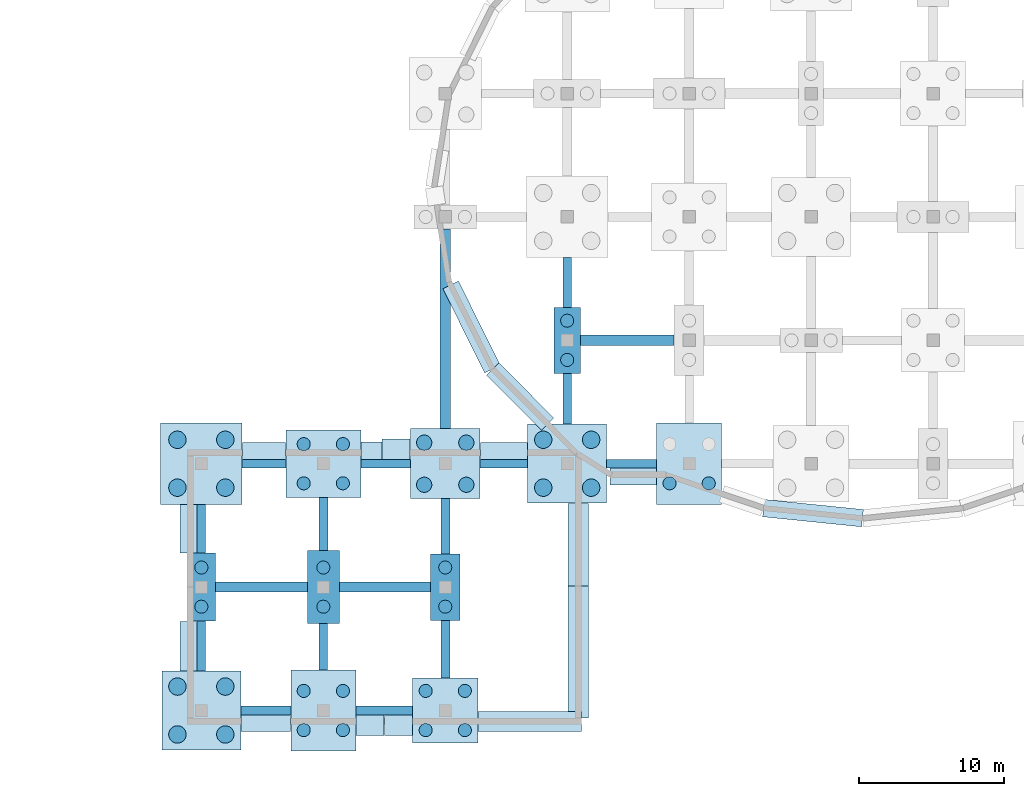
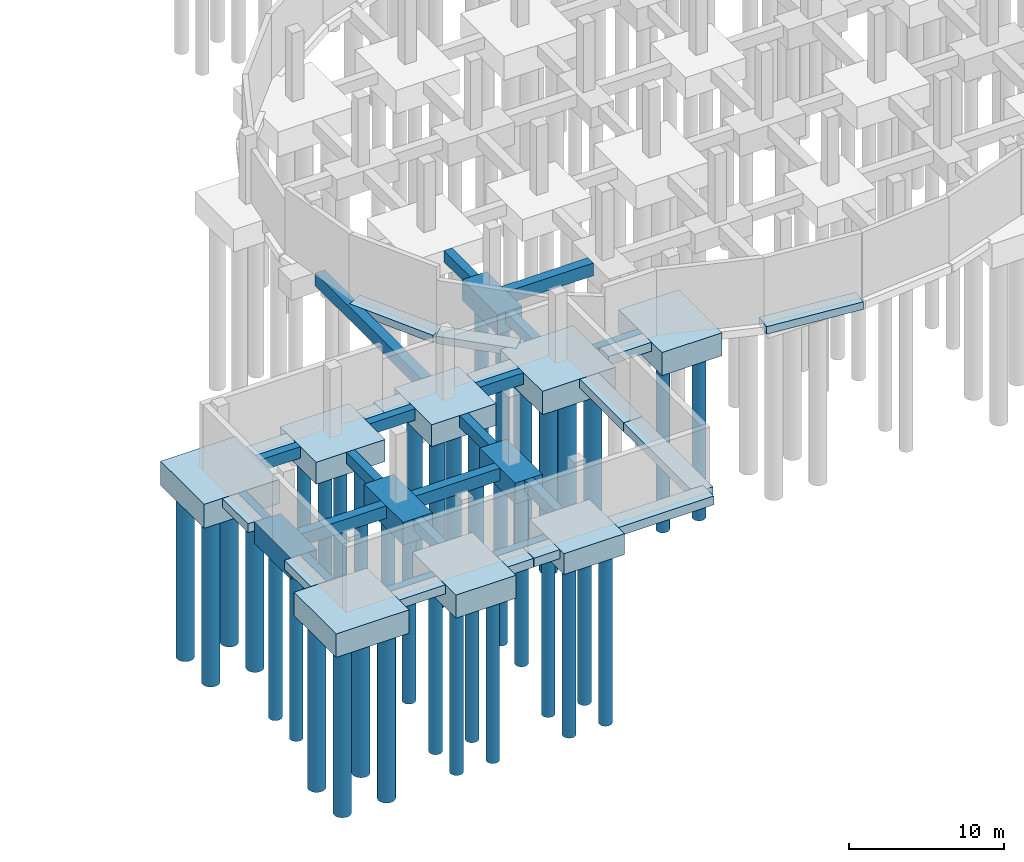
# One storey, part 1 of 34: 46 footings, 38 piles.
"""IFC4 building model written with IfcOpenShell, lengths in metres."""

from ifc_helpers import new_model, si_unit, direction, frame, origin, origin_2d, place, context, subcontext, project, spatial, rectangle, circle, extrude, material, material_profile, profile_set, type_object, element, save


model = new_model("IFC4")

# Units and contexts
model_context = context("Model", 3, precision=1e-05, world=origin(), true_north=direction((0.0, 1.0)))
body_context = subcontext(model_context, "Body", "Model", "MODEL_VIEW")
ifc_project = project(units=[si_unit("LENGTHUNIT", "METRE"), si_unit("AREAUNIT", "SQUARE_METRE"), si_unit("VOLUMEUNIT", "CUBIC_METRE"), si_unit("PLANEANGLEUNIT", "RADIAN"), si_unit("MASSUNIT", "GRAM", prefix="KILO")], contexts=[model_context])

# Site, building, storey
site_placement = place(None, origin())
site = spatial("IfcSite", under=ifc_project, at=site_placement, CompositionType="ELEMENT")
building_placement = place(site_placement, origin())
building = spatial("IfcBuilding", under=site, at=building_placement, Name="Solvento Point Concert Hall", CompositionType="ELEMENT")
storey_placement = place(building_placement, frame((0.0, 0.0, -5.39990234375)))
storey = spatial("IfcBuildingStorey", under=building, at=storey_placement, Name="B01", CompositionType="ELEMENT", Elevation=-5.39990234375)

# Piles
ifc_material_1 = material(Name="Concrete C40/50", Category="concrete")
ifc_material_profile_1 = material_profile(ifc_material_1, circle(Radius=0.52490234375, at=origin_2d()), Name="BP-1050")
ifc_profile_set_1 = profile_set([ifc_material_profile_1], Name="Concrete C40/50")
pile_type_1 = type_object("IfcPileType", Name="BoredPile_1050", PredefinedType="BORED", material=ifc_profile_set_1)
for number, where, z_axis, x_axis, name in (
    (1, (30.949951171875, 15.550048828125, -1.6201171875), (0.0, 0.0, -1.0), (1.0, 0.0, 0.0), "Bored pile BoredPile_1050 #85"),
    (2, (33.85009765625, 15.550048828125, -1.6201171875), (0.0, 0.0, -1.0), (1.0, 0.0, 0.0), "Bored pile BoredPile_1050 #86"),
    (3, (30.949951171875, 18.449951171875, -1.6201171875), (0.0, 0.0, -1.0), (1.0, 0.0, 0.0), "Bored pile BoredPile_1050 #87"),
    (4, (33.85009765625, 18.449951171875, -1.6201171875), (0.0, 0.0, -1.0), (1.0, 0.0, 0.0), "Bored pile BoredPile_1050 #88"),
):
    element("IfcPile", number, at=place(storey_placement, frame(where, z_axis=z_axis, x_axis=x_axis)), inside=storey, type_object=pile_type_1, Name=name, PredefinedType="BORED", context=body_context, shape_type="SweptSolid", body=[
        extrude(circle(Radius=0.52490234375, at=origin_2d()), origin(), (0.0, 0.0, 1.0), 13.47998046875),
    ])
ifc_material_2 = material(Name="Concrete C40/50", Category="concrete")
ifc_material_profile_2 = material_profile(ifc_material_2, circle(Radius=0.60009765625, at=origin_2d()), Name="BP-1200")
ifc_profile_set_2 = profile_set([ifc_material_profile_2], Name="Concrete C40/50")
pile_type_2 = type_object("IfcPileType", Name="BoredPile_1200", PredefinedType="BORED", material=ifc_profile_set_2)
for number, where, z_axis, x_axis, name in (
    (5, (13.949951171875, -1.64990234375, -1.75), (0.0, 0.0, -1.0), (1.0, 0.0, 0.0), "Bored pile BoredPile_1200 #31"),
    (6, (17.25, -1.64990234375, -1.75), (0.0, 0.0, -1.0), (1.0, 0.0, 0.0), "Bored pile BoredPile_1200 #32"),
    (7, (13.949951171875, 1.64990234375, -1.75), (0.0, 0.0, -1.0), (1.0, 0.0, 0.0), "Bored pile BoredPile_1200 #33"),
    (8, (17.25, 1.64990234375, -1.75), (0.0, 0.0, -1.0), (1.0, 0.0, 0.0), "Bored pile BoredPile_1200 #34"),
):
    element("IfcPile", number, at=place(storey_placement, frame(where, z_axis=z_axis, x_axis=x_axis)), inside=storey, type_object=pile_type_2, Name=name, PredefinedType="BORED", context=body_context, shape_type="SweptSolid", body=[
        extrude(circle(Radius=0.60009765625, at=origin_2d()), origin(), (0.0, 0.0, 1.0), 13.35009765625),
    ])
for number, where, z_axis, x_axis, name in (
    (9, (13.949951171875, 15.35009765625, -1.800048828125), (0.0, 0.0, -1.0), (1.0, 0.0, 0.0), "Bored pile BoredPile_1200 #37"),
    (10, (17.25, 15.35009765625, -1.800048828125), (0.0, 0.0, -1.0), (1.0, 0.0, 0.0), "Bored pile BoredPile_1200 #38"),
    (11, (13.949951171875, 18.64990234375, -1.800048828125), (0.0, 0.0, -1.0), (1.0, 0.0, 0.0), "Bored pile BoredPile_1200 #39"),
    (12, (17.25, 18.64990234375, -1.800048828125), (0.0, 0.0, -1.0), (1.0, 0.0, 0.0), "Bored pile BoredPile_1200 #40"),
):
    element("IfcPile", number, at=place(storey_placement, frame(where, z_axis=z_axis, x_axis=x_axis)), inside=storey, type_object=pile_type_2, Name=name, PredefinedType="BORED", context=body_context, shape_type="SweptSolid", body=[
        extrude(circle(Radius=0.60009765625, at=origin_2d()), origin(), (0.0, 0.0, 1.0), 13.300048828125),
    ])
for number, where, z_axis, x_axis, name in (
    (13, (39.14990234375, 15.35009765625, -1.75), (0.0, 0.0, -1.0), (1.0, 0.0, 0.0), "Bored pile BoredPile_1200 #103"),
    (14, (42.449951171875, 15.35009765625, -1.75), (0.0, 0.0, -1.0), (1.0, 0.0, 0.0), "Bored pile BoredPile_1200 #104"),
    (15, (39.14990234375, 18.64990234375, -1.75), (0.0, 0.0, -1.0), (1.0, 0.0, 0.0), "Bored pile BoredPile_1200 #105"),
    (16, (42.449951171875, 18.64990234375, -1.75), (0.0, 0.0, -1.0), (1.0, 0.0, 0.0), "Bored pile BoredPile_1200 #106"),
):
    element("IfcPile", number, at=place(storey_placement, frame(where, z_axis=z_axis, x_axis=x_axis)), inside=storey, type_object=pile_type_2, Name=name, PredefinedType="BORED", context=body_context, shape_type="SweptSolid", body=[
        extrude(circle(Radius=0.60009765625, at=origin_2d()), origin(), (0.0, 0.0, 1.0), 13.35009765625),
    ])
ifc_material_3 = material(Name="Concrete C40/50", Category="concrete")
ifc_material_profile_3 = material_profile(ifc_material_3, circle(Radius=0.449951171875, at=origin_2d()), Name="BP-900")
ifc_profile_set_3 = profile_set([ifc_material_profile_3], Name="Concrete C40/50")
pile_type_3 = type_object("IfcPileType", Name="BoredPile_900", PredefinedType="BORED", material=ifc_profile_set_3)
for number, where, z_axis, x_axis, name in (
    (17, (15.60009765625, 7.14990234375, -1.580078125), (0.0, 0.0, -1.0), (1.0, 0.0, 0.0), "Bored pile BoredPile_900 #35"),
    (18, (15.60009765625, 9.85009765625, -1.580078125), (0.0, 0.0, -1.0), (1.0, 0.0, 0.0), "Bored pile BoredPile_900 #36"),
):
    element("IfcPile", number, at=place(storey_placement, frame(where, z_axis=z_axis, x_axis=x_axis)), inside=storey, type_object=pile_type_3, Name=name, PredefinedType="BORED", context=body_context, shape_type="SweptSolid", body=[
        extrude(circle(Radius=0.449951171875, at=origin_2d()), origin(), (0.0, 0.0, 1.0), 13.52001953125),
    ])
for number, where, z_axis, x_axis, name in (
    (19, (22.64990234375, -1.35009765625, -1.72021484375), (0.0, 0.0, -1.0), (1.0, 0.0, 0.0), "Bored pile BoredPile_900 #55"),
    (20, (25.35009765625, -1.35009765625, -1.72021484375), (0.0, 0.0, -1.0), (1.0, 0.0, 0.0), "Bored pile BoredPile_900 #56"),
    (21, (22.64990234375, 1.35009765625, -1.72021484375), (0.0, 0.0, -1.0), (1.0, 0.0, 0.0), "Bored pile BoredPile_900 #57"),
    (22, (25.35009765625, 1.35009765625, -1.72021484375), (0.0, 0.0, -1.0), (1.0, 0.0, 0.0), "Bored pile BoredPile_900 #58"),
):
    element("IfcPile", number, at=place(storey_placement, frame(where, z_axis=z_axis, x_axis=x_axis)), inside=storey, type_object=pile_type_3, Name=name, PredefinedType="BORED", context=body_context, shape_type="SweptSolid", body=[
        extrude(circle(Radius=0.449951171875, at=origin_2d()), origin(), (0.0, 0.0, 1.0), 13.3798828125),
    ])
for number, where, z_axis, x_axis, name in (
    (23, (24.0, 7.14990234375, -1.68017578125), (0.0, 0.0, -1.0), (1.0, 0.0, 0.0), "Bored pile BoredPile_900 #59"),
    (24, (24.0, 9.85009765625, -1.68017578125), (0.0, 0.0, -1.0), (1.0, 0.0, 0.0), "Bored pile BoredPile_900 #60"),
):
    element("IfcPile", number, at=place(storey_placement, frame(where, z_axis=z_axis, x_axis=x_axis)), inside=storey, type_object=pile_type_3, Name=name, PredefinedType="BORED", context=body_context, shape_type="SweptSolid", body=[
        extrude(circle(Radius=0.449951171875, at=origin_2d()), origin(), (0.0, 0.0, 1.0), 13.419921875),
    ])
for number, where, z_axis, x_axis, name in (
    (25, (22.64990234375, 15.64990234375, -1.64013671875), (0.0, 0.0, -1.0), (1.0, 0.0, 0.0), "Bored pile BoredPile_900 #61"),
    (26, (25.35009765625, 15.64990234375, -1.64013671875), (0.0, 0.0, -1.0), (1.0, 0.0, 0.0), "Bored pile BoredPile_900 #62"),
    (27, (22.64990234375, 18.35009765625, -1.64013671875), (0.0, 0.0, -1.0), (1.0, 0.0, 0.0), "Bored pile BoredPile_900 #63"),
    (28, (25.35009765625, 18.35009765625, -1.64013671875), (0.0, 0.0, -1.0), (1.0, 0.0, 0.0), "Bored pile BoredPile_900 #64"),
):
    element("IfcPile", number, at=place(storey_placement, frame(where, z_axis=z_axis, x_axis=x_axis)), inside=storey, type_object=pile_type_3, Name=name, PredefinedType="BORED", context=body_context, shape_type="SweptSolid", body=[
        extrude(circle(Radius=0.449951171875, at=origin_2d()), origin(), (0.0, 0.0, 1.0), 13.4599609375),
    ])
for number, where, z_axis, x_axis, name in (
    (29, (31.050048828125, -1.35009765625, -1.550048828125), (0.0, 0.0, -1.0), (1.0, 0.0, 0.0), "Bored pile BoredPile_900 #79"),
    (30, (33.75, -1.35009765625, -1.550048828125), (0.0, 0.0, -1.0), (1.0, 0.0, 0.0), "Bored pile BoredPile_900 #80"),
    (31, (31.050048828125, 1.35009765625, -1.550048828125), (0.0, 0.0, -1.0), (1.0, 0.0, 0.0), "Bored pile BoredPile_900 #81"),
    (32, (33.75, 1.35009765625, -1.550048828125), (0.0, 0.0, -1.0), (1.0, 0.0, 0.0), "Bored pile BoredPile_900 #82"),
):
    element("IfcPile", number, at=place(storey_placement, frame(where, z_axis=z_axis, x_axis=x_axis)), inside=storey, type_object=pile_type_3, Name=name, PredefinedType="BORED", context=body_context, shape_type="SweptSolid", body=[
        extrude(circle(Radius=0.449951171875, at=origin_2d()), origin(), (0.0, 0.0, 1.0), 13.550048828125),
    ])
for number, where, z_axis, x_axis, name in (
    (33, (32.39990234375, 7.14990234375, -1.56005859375), (0.0, 0.0, -1.0), (1.0, 0.0, 0.0), "Bored pile BoredPile_900 #83"),
    (34, (32.39990234375, 9.85009765625, -1.56005859375), (0.0, 0.0, -1.0), (1.0, 0.0, 0.0), "Bored pile BoredPile_900 #84"),
):
    element("IfcPile", number, at=place(storey_placement, frame(where, z_axis=z_axis, x_axis=x_axis)), inside=storey, type_object=pile_type_3, Name=name, PredefinedType="BORED", context=body_context, shape_type="SweptSolid", body=[
        extrude(circle(Radius=0.449951171875, at=origin_2d()), origin(), (0.0, 0.0, 1.0), 13.5400390625),
    ])
for number, where, z_axis, x_axis, name in (
    (35, (40.800048828125, 24.14990234375, -1.52001953125), (0.0, 0.0, -1.0), (1.0, 0.0, 0.0), "Bored pile BoredPile_900 #107"),
    (36, (40.800048828125, 26.85009765625, -1.52001953125), (0.0, 0.0, -1.0), (1.0, 0.0, 0.0), "Bored pile BoredPile_900 #108"),
):
    element("IfcPile", number, at=place(storey_placement, frame(where, z_axis=z_axis, x_axis=x_axis)), inside=storey, type_object=pile_type_3, Name=name, PredefinedType="BORED", context=body_context, shape_type="SweptSolid", body=[
        extrude(circle(Radius=0.449951171875, at=origin_2d()), origin(), (0.0, 0.0, 1.0), 13.580078125),
    ])
for number, where, z_axis, x_axis, name in (
    (37, (47.85009765625, 15.64990234375, -1.72021484375), (0.0, 0.0, -1.0), (1.0, 0.0, 0.0), "Bored pile BoredPile_900 #127"),
    (38, (50.550048828125, 15.64990234375, -1.72021484375), (0.0, 0.0, -1.0), (1.0, 0.0, 0.0), "Bored pile BoredPile_900 #128"),
):
    element("IfcPile", number, at=place(storey_placement, frame(where, z_axis=z_axis, x_axis=x_axis)), inside=storey, type_object=pile_type_3, Name=name, PredefinedType="BORED", context=body_context, shape_type="SweptSolid", body=[
        extrude(circle(Radius=0.449951171875, at=origin_2d()), origin(), (0.0, 0.0, 1.0), 13.3798828125),
    ])

# Footings
ifc_material_4 = material(Name="Concrete C40/50", Category="concrete")
footing_type_1 = type_object("IfcFootingType", Name="PileCap_2D", PredefinedType="PILE_CAP", material=ifc_material_4)
footing_1_placement = place(storey_placement, frame((40.800048828125, 25.5, -1.6201171875), z_axis=(0.0, 0.0, 1.0), x_axis=(1.0, 0.0, 0.0)))
element("IfcFooting", 39, at=footing_1_placement, inside=storey, type_object=footing_type_1, Name="Pile cap PC-2D at G-06-D", PredefinedType="PILE_CAP", context=body_context, shape_type="SweptSolid", body=[
    extrude(rectangle(XDim=1.840087890625, YDim=4.5400390625, at=origin_2d()), origin(), (0.0, 0.0, 1.0), 1.6201171875),
])
ifc_material_5 = material(Name="Concrete C40/50", Category="concrete")
footing_type_2 = type_object("IfcFootingType", Name="PileCap_2F", PredefinedType="PILE_CAP", material=ifc_material_5)
footing_2_placement = place(storey_placement, frame((15.60009765625, 8.5, -1.68017578125), z_axis=(0.0, 0.0, 1.0), x_axis=(1.0, 0.0, 0.0)))
element("IfcFooting", 40, at=footing_2_placement, inside=storey, type_object=footing_type_2, Name="Pile cap PC-2F at G-03-B", PredefinedType="PILE_CAP", context=body_context, shape_type="SweptSolid", body=[
    extrude(rectangle(XDim=1.9599609375, YDim=4.699951171875, at=origin_2d()), origin(), (0.0, 0.0, 1.0), 1.679931640625),
])
ifc_material_6 = material(Name="Concrete C40/50", Category="concrete")
footing_type_3 = type_object("IfcFootingType", Name="PileCap_2K", PredefinedType="PILE_CAP", material=ifc_material_6)
footing_3_placement = place(storey_placement, frame((24.0, 8.5, -1.7802734375), z_axis=(0.0, 0.0, 1.0), x_axis=(1.0, 0.0, 0.0)))
element("IfcFooting", 41, at=footing_3_placement, inside=storey, type_object=footing_type_3, Name="Pile cap PC-2K at G-04-B", PredefinedType="PILE_CAP", context=body_context, shape_type="SweptSolid", body=[
    extrude(rectangle(XDim=2.199951171875, YDim=5.02001953125, at=origin_2d()), origin(), (0.0, 0.0, 1.0), 1.780029296875),
])
ifc_material_7 = material(Name="Concrete C40/50", Category="concrete")
footing_type_4 = type_object("IfcFootingType", Name="PileCap_2P", PredefinedType="PILE_CAP", material=ifc_material_7)
footing_4_placement = place(storey_placement, frame((32.39990234375, 8.5, -1.66015625), z_axis=(0.0, 0.0, 1.0), x_axis=(1.0, 0.0, 0.0)))
element("IfcFooting", 42, at=footing_4_placement, inside=storey, type_object=footing_type_4, Name="Pile cap PC-2P at G-05-B", PredefinedType="PILE_CAP", context=body_context, shape_type="SweptSolid", body=[
    extrude(rectangle(XDim=2.050048828125, YDim=4.580078125, at=origin_2d()), origin(), (0.0, 0.0, 1.0), 1.659912109375),
])
ifc_material_8 = material(Name="Concrete C40/50", Category="concrete")
footing_type_5 = type_object("IfcFootingType", Name="PileCap_4B", PredefinedType="PILE_CAP", material=ifc_material_8)
footing_5_placement = place(storey_placement, frame((32.39990234375, 0.0, -1.650146484375), z_axis=(0.0, 0.0, 1.0), x_axis=(1.0, 0.0, 0.0)))
element("IfcFooting", 43, at=footing_5_placement, inside=storey, type_object=footing_type_5, Name="Pile cap PC-4B at G-05-A", PredefinedType="PILE_CAP", context=body_context, shape_type="SweptSolid", body=[
    extrude(rectangle(XDim=4.5, YDim=4.5, at=origin_2d()), origin(), (0.0, 0.0, 1.0), 1.64990234375),
])
ifc_material_9 = material(Name="Concrete C40/50", Category="concrete")
footing_type_6 = type_object("IfcFootingType", Name="PileCap_4C", PredefinedType="PILE_CAP", material=ifc_material_9)
footing_6_placement = place(storey_placement, frame((32.39990234375, 17.0, -1.72021484375), z_axis=(0.0, 0.0, 1.0), x_axis=(1.0, 0.0, 0.0)))
element("IfcFooting", 44, at=footing_6_placement, inside=storey, type_object=footing_type_6, Name="Pile cap PC-4C at G-05-C", PredefinedType="PILE_CAP", context=body_context, shape_type="SweptSolid", body=[
    extrude(rectangle(XDim=4.820068359375, YDim=4.820068359375, at=origin_2d()), origin(), (0.0, 0.0, 1.0), 1.719970703125),
])
ifc_material_10 = material(Name="Concrete C40/50", Category="concrete")
footing_type_7 = type_object("IfcFootingType", Name="PileCap_4F", PredefinedType="PILE_CAP", material=ifc_material_10)
for number, where, z_axis, x_axis, name in (
    (45, (15.60009765625, 0.0, -1.85009765625), (0.0, 0.0, 1.0), (1.0, 0.0, 0.0), "Pile cap PC-4F at G-03-A"),
    (46, (40.800048828125, 17.0, -1.85009765625), (0.0, 0.0, 1.0), (1.0, 0.0, 0.0), "Pile cap PC-4F at G-06-C"),
):
    element("IfcFooting", number, at=place(storey_placement, frame(where, z_axis=z_axis, x_axis=x_axis)), inside=storey, type_object=footing_type_7, Name=name, PredefinedType="PILE_CAP", context=body_context, shape_type="SweptSolid", body=[
        extrude(rectangle(XDim=5.43994140625, YDim=5.43994140625, at=origin_2d()), origin(), (0.0, 0.0, 1.0), 1.85009765625),
    ])
ifc_material_11 = material(Name="Concrete C40/50", Category="concrete")
footing_type_8 = type_object("IfcFootingType", Name="PileCap_4G", PredefinedType="PILE_CAP", material=ifc_material_11)
footing_7_placement = place(storey_placement, frame((15.60009765625, 17.0, -1.900146484375), z_axis=(0.0, 0.0, 1.0), x_axis=(1.0, 0.0, 0.0)))
element("IfcFooting", 47, at=footing_7_placement, inside=storey, type_object=footing_type_8, Name="Pile cap PC-4G at G-03-C", PredefinedType="PILE_CAP", context=body_context, shape_type="SweptSolid", body=[
    extrude(rectangle(XDim=5.6201171875, YDim=5.6201171875, at=origin_2d()), origin(), (0.0, 0.0, 1.0), 1.89990234375),
])
ifc_material_12 = material(Name="Concrete C40/50", Category="concrete")
footing_type_9 = type_object("IfcFootingType", Name="PileCap_4K", PredefinedType="PILE_CAP", material=ifc_material_12)
for number, where, z_axis, x_axis, name in (
    (48, (24.0, 0.0, -1.8203125), (0.0, 0.0, 1.0), (1.0, 0.0, 0.0), "Pile cap PC-4K at G-04-A"),
    (49, (49.199951171875, 17.0, -1.8203125), (0.0, 0.0, 1.0), (1.0, 0.0, 0.0), "Pile cap PC-4K at G-07-C"),
):
    element("IfcFooting", number, at=place(storey_placement, frame(where, z_axis=z_axis, x_axis=x_axis)), inside=storey, type_object=footing_type_9, Name=name, PredefinedType="PILE_CAP", context=body_context, shape_type="SweptSolid", body=[
        extrude(rectangle(XDim=4.47998046875, YDim=5.60009765625, at=origin_2d()), origin(), (0.0, 0.0, 1.0), 1.820068359375),
    ])
ifc_material_13 = material(Name="Concrete C40/50", Category="concrete")
footing_type_10 = type_object("IfcFootingType", Name="PileCap_4L", PredefinedType="PILE_CAP", material=ifc_material_13)
footing_8_placement = place(storey_placement, frame((24.0, 17.0, -1.740234375), z_axis=(0.0, 0.0, 1.0), x_axis=(1.0, 0.0, 0.0)))
element("IfcFooting", 50, at=footing_8_placement, inside=storey, type_object=footing_type_10, Name="Pile cap PC-4L at G-04-C", PredefinedType="PILE_CAP", context=body_context, shape_type="SweptSolid", body=[
    extrude(rectangle(XDim=5.159912109375, YDim=4.659912109375, at=origin_2d()), origin(), (0.0, 0.0, 1.0), 1.739990234375),
])
ifc_material_14 = material(Name="Concrete C40/50", Category="concrete")
footing_type_11 = type_object("IfcFootingType", Name="StripFooting_1200x600", PredefinedType="STRIP_FOOTING", material=ifc_material_14)
footing_9_placement = place(storey_placement, frame((34.210205078125, 26.424560546875, -0.60009765625), z_axis=(0.0, 0.0, 1.0), x_axis=(-0.445116614995, 0.895472612119, 0.0)))
element("IfcFooting", 51, at=footing_9_placement, inside=storey, type_object=footing_type_11, Name="Strip footing SF-01", PredefinedType="STRIP_FOOTING", context=body_context, shape_type="SweptSolid", body=[
    extrude(rectangle(XDim=6.470947265625, YDim=1.199951171875, at=origin_2d()), origin(), (0.0, 0.0, 1.0), 0.60009765625),
])
footing_10_placement = place(storey_placement, frame((57.733154296875, 13.594970703125, -0.60009765625), z_axis=(0.0, 0.0, 1.0), x_axis=(-0.99483244511, 0.101530321366, 0.0)))
element("IfcFooting", 52, at=footing_10_placement, inside=storey, type_object=footing_type_11, Name="Strip footing SF-01", PredefinedType="STRIP_FOOTING", context=body_context, shape_type="SweptSolid", body=[
    extrude(rectangle(XDim=6.857177734375, YDim=1.199951171875, at=origin_2d()), origin(), (0.0, 0.0, 1.0), 0.60009765625),
])
footing_11_placement = place(storey_placement, frame((37.564208984375, 21.62841796875, -0.60009765625), z_axis=(0.0, 0.0, 1.0), x_axis=(-0.70611754906, 0.708094631324, 0.0)))
element("IfcFooting", 53, at=footing_11_placement, inside=storey, type_object=footing_type_11, Name="Strip footing SF-01", PredefinedType="STRIP_FOOTING", context=body_context, shape_type="SweptSolid", body=[
    extrude(rectangle(XDim=5.36181640625, YDim=1.199951171875, at=origin_2d()), origin(), (0.0, 0.0, 1.0), 0.60009765625),
])
ifc_material_15 = material(Name="Concrete C40/50", Category="concrete")
footing_type_12 = type_object("IfcFootingType", Name="StripFooting_1400x700", PredefinedType="STRIP_FOOTING", material=ifc_material_15)
footing_12_placement = place(storey_placement, frame((45.3466796875, 16.2451171875, -0.7001953125), z_axis=(0.0, 0.0, 1.0), x_axis=(-1.0, 0.0, 0.0)))
element("IfcFooting", 54, at=footing_12_placement, inside=storey, type_object=footing_type_12, Name="Strip footing SF-02", PredefinedType="STRIP_FOOTING", context=body_context, shape_type="SweptSolid", body=[
    extrude(rectangle(XDim=3.206787109375, YDim=1.39990234375, at=origin_2d()), origin(), (0.0, 0.0, 1.0), 0.699951171875),
])
footing_13_placement = place(storey_placement, frame((41.554931640625, 11.43212890625, -0.7001953125), z_axis=(0.0, 0.0, 1.0), x_axis=(0.0, -1.0, 0.0)))
element("IfcFooting", 55, at=footing_13_placement, inside=storey, type_object=footing_type_12, Name="Strip footing SF-02", PredefinedType="STRIP_FOOTING", context=body_context, shape_type="SweptSolid", body=[
    extrude(rectangle(XDim=5.67578125, YDim=1.39990234375, at=origin_2d()), origin(), (0.0, 0.0, 1.0), 0.699951171875),
])
footing_14_placement = place(storey_placement, frame((41.554931640625, 4.027099609375, -0.7001953125), z_axis=(0.0, 0.0, 1.0), x_axis=(0.0, -1.0, 0.0)))
element("IfcFooting", 56, at=footing_14_placement, inside=storey, type_object=footing_type_12, Name="Strip footing SF-02", PredefinedType="STRIP_FOOTING", context=body_context, shape_type="SweptSolid", body=[
    extrude(rectangle(XDim=9.114013671875, YDim=1.39990234375, at=origin_2d()), origin(), (0.0, 0.0, 1.0), 0.699951171875),
])
footing_15_placement = place(storey_placement, frame((38.219970703125, -0.7548828125, -0.7001953125), z_axis=(0.0, 0.0, 1.0), x_axis=(-1.0, 0.0, 0.0)))
element("IfcFooting", 57, at=footing_15_placement, inside=storey, type_object=footing_type_12, Name="Strip footing SF-02", PredefinedType="STRIP_FOOTING", context=body_context, shape_type="SweptSolid", body=[
    extrude(rectangle(XDim=7.1201171875, YDim=1.39990234375, at=origin_2d()), origin(), (0.0, 0.0, 1.0), 0.699951171875),
])
for number, where, z_axis, x_axis, name in (
    (58, (29.169921875, -0.7548828125, -0.7001953125), (0.0, 0.0, 1.0), (-1.0, 0.0, 0.0), "Strip footing SF-02"),
    (59, (27.219970703125, -0.7548828125, -0.7001953125), (0.0, 0.0, 1.0), (-1.0, 0.0, 0.0), "Strip footing SF-02"),
):
    element("IfcFooting", number, at=place(storey_placement, frame(where, z_axis=z_axis, x_axis=x_axis)), inside=storey, type_object=footing_type_12, Name=name, PredefinedType="STRIP_FOOTING", context=body_context, shape_type="SweptSolid", body=[
        extrude(rectangle(XDim=1.93994140625, YDim=1.93994140625, at=origin_2d()), origin(), (0.0, 0.0, 1.0), 0.699951171875),
    ])
footing_16_placement = place(storey_placement, frame((20.0400390625, -0.7548828125, -0.7001953125), z_axis=(0.0, 0.0, 1.0), x_axis=(-1.0, 0.0, 0.0)))
element("IfcFooting", 60, at=footing_16_placement, inside=storey, type_object=footing_type_12, Name="Strip footing SF-02", PredefinedType="STRIP_FOOTING", context=body_context, shape_type="SweptSolid", body=[
    extrude(rectangle(XDim=3.419921875, YDim=1.39990234375, at=origin_2d()), origin(), (0.0, 0.0, 1.0), 0.699951171875),
])
footing_17_placement = place(storey_placement, frame((14.844970703125, 4.43505859375, -0.7001953125), z_axis=(0.0, 0.0, 1.0), x_axis=(0.0, 1.0, 0.0)))
element("IfcFooting", 61, at=footing_17_placement, inside=storey, type_object=footing_type_12, Name="Strip footing SF-02", PredefinedType="STRIP_FOOTING", context=body_context, shape_type="SweptSolid", body=[
    extrude(rectangle(XDim=3.409912109375, YDim=1.39990234375, at=origin_2d()), origin(), (0.0, 0.0, 1.0), 0.699951171875),
])
footing_18_placement = place(storey_placement, frame((14.844970703125, 12.52001953125, -0.7001953125), z_axis=(0.0, 0.0, 1.0), x_axis=(0.0, 1.0, 0.0)))
element("IfcFooting", 62, at=footing_18_placement, inside=storey, type_object=footing_type_12, Name="Strip footing SF-02", PredefinedType="STRIP_FOOTING", context=body_context, shape_type="SweptSolid", body=[
    extrude(rectangle(XDim=3.320068359375, YDim=1.39990234375, at=origin_2d()), origin(), (0.0, 0.0, 1.0), 0.699951171875),
])
footing_19_placement = place(storey_placement, frame((19.9150390625, 17.7548828125, -0.7001953125), z_axis=(0.0, 0.0, 1.0), x_axis=(1.0, 0.0, 0.0)))
element("IfcFooting", 63, at=footing_19_placement, inside=storey, type_object=footing_type_12, Name="Strip footing SF-02", PredefinedType="STRIP_FOOTING", context=body_context, shape_type="SweptSolid", body=[
    extrude(rectangle(XDim=2.989990234375, YDim=1.39990234375, at=origin_2d()), origin(), (0.0, 0.0, 1.0), 0.699951171875),
])
footing_20_placement = place(storey_placement, frame((27.31787109375, 17.7548828125, -0.7001953125), z_axis=(0.0, 0.0, 1.0), x_axis=(1.0, 0.0, 0.0)))
element("IfcFooting", 64, at=footing_20_placement, inside=storey, type_object=footing_type_12, Name="Strip footing SF-02", PredefinedType="STRIP_FOOTING", context=body_context, shape_type="SweptSolid", body=[
    extrude(rectangle(XDim=1.455810546875, YDim=1.455810546875, at=origin_2d()), origin(), (0.0, 0.0, 1.0), 0.699951171875),
])
footing_21_placement = place(storey_placement, frame((29.017822265625, 17.7548828125, -0.7001953125), z_axis=(0.0, 0.0, 1.0), x_axis=(1.0, 0.0, 0.0)))
element("IfcFooting", 65, at=footing_21_placement, inside=storey, type_object=footing_type_12, Name="Strip footing SF-02", PredefinedType="STRIP_FOOTING", context=body_context, shape_type="SweptSolid", body=[
    extrude(rectangle(XDim=1.924072265625, YDim=1.924072265625, at=origin_2d()), origin(), (0.0, 0.0, 1.0), 0.699951171875),
])
footing_22_placement = place(storey_placement, frame((36.445068359375, 17.7548828125, -0.7001953125), z_axis=(0.0, 0.0, 1.0), x_axis=(1.0, 0.0, 0.0)))
element("IfcFooting", 66, at=footing_22_placement, inside=storey, type_object=footing_type_12, Name="Strip footing SF-02", PredefinedType="STRIP_FOOTING", context=body_context, shape_type="SweptSolid", body=[
    extrude(rectangle(XDim=3.25, YDim=1.39990234375, at=origin_2d()), origin(), (0.0, 0.0, 1.0), 0.699951171875),
])
ifc_material_16 = material(Name="Concrete C40/50", Category="concrete")
footing_type_13 = type_object("IfcFootingType", Name="TieBeam_600x900", PredefinedType="FOOTING_BEAM", material=ifc_material_16)
footing_23_placement = place(storey_placement, frame((20.0400390625, 0.0, -0.900146484375), z_axis=(0.0, 0.0, 1.0), x_axis=(1.0, 0.0, 0.0)))
element("IfcFooting", 67, at=footing_23_placement, inside=storey, type_object=footing_type_13, Name="Seismic tie beam GB-01", PredefinedType="FOOTING_BEAM", context=body_context, shape_type="SweptSolid", body=[
    extrude(rectangle(XDim=3.43994140625, YDim=0.60009765625, at=origin_2d()), origin(), (0.0, 0.0, 1.0), 0.89990234375),
])
footing_24_placement = place(storey_placement, frame((19.9150390625, 17.0, -0.900146484375), z_axis=(0.0, 0.0, 1.0), x_axis=(1.0, 0.0, 0.0)))
element("IfcFooting", 68, at=footing_24_placement, inside=storey, type_object=footing_type_13, Name="Seismic tie beam GB-01", PredefinedType="FOOTING_BEAM", context=body_context, shape_type="SweptSolid", body=[
    extrude(rectangle(XDim=3.010009765625, YDim=0.60009765625, at=origin_2d()), origin(), (0.0, 0.0, 1.0), 0.89990234375),
])
footing_25_placement = place(storey_placement, frame((28.284912109375, 17.0, -0.900146484375), z_axis=(0.0, 0.0, 1.0), x_axis=(1.0, 0.0, 0.0)))
element("IfcFooting", 69, at=footing_25_placement, inside=storey, type_object=footing_type_13, Name="Seismic tie beam GB-01", PredefinedType="FOOTING_BEAM", context=body_context, shape_type="SweptSolid", body=[
    extrude(rectangle(XDim=3.409912109375, YDim=0.60009765625, at=origin_2d()), origin(), (0.0, 0.0, 1.0), 0.89990234375),
])
footing_26_placement = place(storey_placement, frame((36.445068359375, 17.0, -0.900146484375), z_axis=(0.0, 0.0, 1.0), x_axis=(1.0, 0.0, 0.0)))
element("IfcFooting", 70, at=footing_26_placement, inside=storey, type_object=footing_type_13, Name="Seismic tie beam GB-01", PredefinedType="FOOTING_BEAM", context=body_context, shape_type="SweptSolid", body=[
    extrude(rectangle(XDim=3.27001953125, YDim=0.60009765625, at=origin_2d()), origin(), (0.0, 0.0, 1.0), 0.89990234375),
])
footing_27_placement = place(storey_placement, frame((45.239990234375, 17.0, -0.900146484375), z_axis=(0.0, 0.0, 1.0), x_axis=(1.0, 0.0, 0.0)))
element("IfcFooting", 71, at=footing_27_placement, inside=storey, type_object=footing_type_13, Name="Seismic tie beam GB-01", PredefinedType="FOOTING_BEAM", context=body_context, shape_type="SweptSolid", body=[
    extrude(rectangle(XDim=3.43994140625, YDim=0.60009765625, at=origin_2d()), origin(), (0.0, 0.0, 1.0), 0.89990234375),
])
footing_28_placement = place(storey_placement, frame((15.60009765625, 4.43505859375, -0.900146484375), z_axis=(0.0, 0.0, 1.0), x_axis=(0.0, 1.0, 0.0)))
element("IfcFooting", 72, at=footing_28_placement, inside=storey, type_object=footing_type_13, Name="Seismic tie beam GB-01", PredefinedType="FOOTING_BEAM", context=body_context, shape_type="SweptSolid", body=[
    extrude(rectangle(XDim=3.429931640625, YDim=0.60009765625, at=origin_2d()), origin(), (0.0, 0.0, 1.0), 0.89990234375),
])
footing_29_placement = place(storey_placement, frame((15.60009765625, 12.52001953125, -0.900146484375), z_axis=(0.0, 0.0, 1.0), x_axis=(0.0, 1.0, 0.0)))
element("IfcFooting", 73, at=footing_29_placement, inside=storey, type_object=footing_type_13, Name="Seismic tie beam GB-01", PredefinedType="FOOTING_BEAM", context=body_context, shape_type="SweptSolid", body=[
    extrude(rectangle(XDim=3.340087890625, YDim=0.60009765625, at=origin_2d()), origin(), (0.0, 0.0, 1.0), 0.89990234375),
])
footing_30_placement = place(storey_placement, frame((24.0, 4.39501953125, -0.900146484375), z_axis=(0.0, 0.0, 1.0), x_axis=(0.0, 1.0, 0.0)))
element("IfcFooting", 74, at=footing_30_placement, inside=storey, type_object=footing_type_13, Name="Seismic tie beam GB-01", PredefinedType="FOOTING_BEAM", context=body_context, shape_type="SweptSolid", body=[
    extrude(rectangle(XDim=3.18994140625, YDim=0.60009765625, at=origin_2d()), origin(), (0.0, 0.0, 1.0), 0.89990234375),
])
footing_31_placement = place(storey_placement, frame((40.800048828125, 21.47509765625, -0.900146484375), z_axis=(0.0, 0.0, 1.0), x_axis=(0.0, 1.0, 0.0)))
element("IfcFooting", 75, at=footing_31_placement, inside=storey, type_object=footing_type_13, Name="Seismic tie beam GB-01", PredefinedType="FOOTING_BEAM", context=body_context, shape_type="SweptSolid", body=[
    extrude(rectangle(XDim=3.510009765625, YDim=0.60009765625, at=origin_2d()), origin(), (0.0, 0.0, 1.0), 0.89990234375),
])
footing_32_placement = place(storey_placement, frame((40.800048828125, 29.47998046875, -0.900146484375), z_axis=(0.0, 0.0, 1.0), x_axis=(0.0, 1.0, 0.0)))
element("IfcFooting", 76, at=footing_32_placement, inside=storey, type_object=footing_type_13, Name="Seismic tie beam GB-01", PredefinedType="FOOTING_BEAM", context=body_context, shape_type="SweptSolid", body=[
    extrude(rectangle(XDim=3.419921875, YDim=0.60009765625, at=origin_2d()), origin(), (0.0, 0.0, 1.0), 0.89990234375),
])
ifc_material_17 = material(Name="Concrete C40/50", Category="concrete")
footing_type_14 = type_object("IfcFootingType", Name="TieBeam_620x920", PredefinedType="FOOTING_BEAM", material=ifc_material_17)
footing_33_placement = place(storey_placement, frame((28.195068359375, 0.0, -0.920166015625), z_axis=(0.0, 0.0, 1.0), x_axis=(1.0, 0.0, 0.0)))
element("IfcFooting", 77, at=footing_33_placement, inside=storey, type_object=footing_type_14, Name="Seismic tie beam GB-02", PredefinedType="FOOTING_BEAM", context=body_context, shape_type="SweptSolid", body=[
    extrude(rectangle(XDim=3.909912109375, YDim=0.6201171875, at=origin_2d()), origin(), (0.0, 0.0, 1.0), 0.919921875),
])
footing_34_placement = place(storey_placement, frame((24.0, 12.840087890625, -0.920166015625), z_axis=(0.0, 0.0, 1.0), x_axis=(0.0, 1.0, 0.0)))
element("IfcFooting", 78, at=footing_34_placement, inside=storey, type_object=footing_type_14, Name="Seismic tie beam GB-02", PredefinedType="FOOTING_BEAM", context=body_context, shape_type="SweptSolid", body=[
    extrude(rectangle(XDim=3.659912109375, YDim=0.6201171875, at=origin_2d()), origin(), (0.0, 0.0, 1.0), 0.919921875),
])
footing_35_placement = place(storey_placement, frame((32.39990234375, 4.22998046875, -0.920166015625), z_axis=(0.0, 0.0, 1.0), x_axis=(0.0, 1.0, 0.0)))
element("IfcFooting", 79, at=footing_35_placement, inside=storey, type_object=footing_type_14, Name="Seismic tie beam GB-02", PredefinedType="FOOTING_BEAM", context=body_context, shape_type="SweptSolid", body=[
    extrude(rectangle(XDim=3.9599609375, YDim=0.6201171875, at=origin_2d()), origin(), (0.0, 0.0, 1.0), 0.919921875),
])
footing_36_placement = place(storey_placement, frame((32.39990234375, 12.68994140625, -0.920166015625), z_axis=(0.0, 0.0, 1.0), x_axis=(0.0, 1.0, 0.0)))
element("IfcFooting", 80, at=footing_36_placement, inside=storey, type_object=footing_type_14, Name="Seismic tie beam GB-02", PredefinedType="FOOTING_BEAM", context=body_context, shape_type="SweptSolid", body=[
    extrude(rectangle(XDim=3.800048828125, YDim=0.6201171875, at=origin_2d()), origin(), (0.0, 0.0, 1.0), 0.919921875),
])
ifc_material_18 = material(Name="Concrete C40/50", Category="concrete")
footing_type_15 = type_object("IfcFootingType", Name="TieBeam_680x980", PredefinedType="FOOTING_BEAM", material=ifc_material_18)
footing_37_placement = place(storey_placement, frame((19.739990234375, 8.5, -0.97998046875), z_axis=(0.0, 0.0, 1.0), x_axis=(1.0, 0.0, 0.0)))
element("IfcFooting", 81, at=footing_37_placement, inside=storey, type_object=footing_type_15, Name="Seismic tie beam GB-04", PredefinedType="FOOTING_BEAM", context=body_context, shape_type="SweptSolid", body=[
    extrude(rectangle(XDim=6.320068359375, YDim=0.679931640625, at=origin_2d()), origin(), (0.0, 0.0, 1.0), 0.97998046875),
])
footing_38_placement = place(storey_placement, frame((28.237548828125, 8.5, -0.97998046875), z_axis=(0.0, 0.0, 1.0), x_axis=(1.0, 0.0, 0.0)))
element("IfcFooting", 82, at=footing_38_placement, inside=storey, type_object=footing_type_15, Name="Seismic tie beam GB-04", PredefinedType="FOOTING_BEAM", context=body_context, shape_type="SweptSolid", body=[
    extrude(rectangle(XDim=6.27490234375, YDim=0.679931640625, at=origin_2d()), origin(), (0.0, 0.0, 1.0), 0.97998046875),
])
ifc_material_19 = material(Name="Concrete C40/50", Category="concrete")
footing_type_16 = type_object("IfcFootingType", Name="TieBeam_700x1000", PredefinedType="FOOTING_BEAM", material=ifc_material_19)
footing_39_placement = place(storey_placement, frame((44.93994140625, 25.5, -1.0), z_axis=(0.0, 0.0, 1.0), x_axis=(1.0, 0.0, 0.0)))
element("IfcFooting", 83, at=footing_39_placement, inside=storey, type_object=footing_type_16, Name="Seismic tie beam GB-05", PredefinedType="FOOTING_BEAM", context=body_context, shape_type="SweptSolid", body=[
    extrude(rectangle(XDim=6.43994140625, YDim=0.699951171875, at=origin_2d()), origin(), (0.0, 0.0, 1.0), 1.0),
])
ifc_material_20 = material(Name="Concrete C40/50", Category="concrete")
footing_type_17 = type_object("IfcFootingType", Name="TieBeam_720x1020", PredefinedType="FOOTING_BEAM", material=ifc_material_20)
footing_40_placement = place(storey_placement, frame((32.39990234375, 26.29248046875, -1.02001953125), z_axis=(0.0, 0.0, 1.0), x_axis=(0.0, 1.0, 0.0)))
element("IfcFooting", 84, at=footing_40_placement, inside=storey, type_object=footing_type_17, Name="Seismic tie beam GB-06", PredefinedType="FOOTING_BEAM", context=body_context, shape_type="SweptSolid", body=[
    extrude(rectangle(XDim=13.764892578125, YDim=0.719970703125, at=origin_2d()), origin(), (0.0, 0.0, 1.0), 1.02001953125),
])

save(model, "model.ifc")
